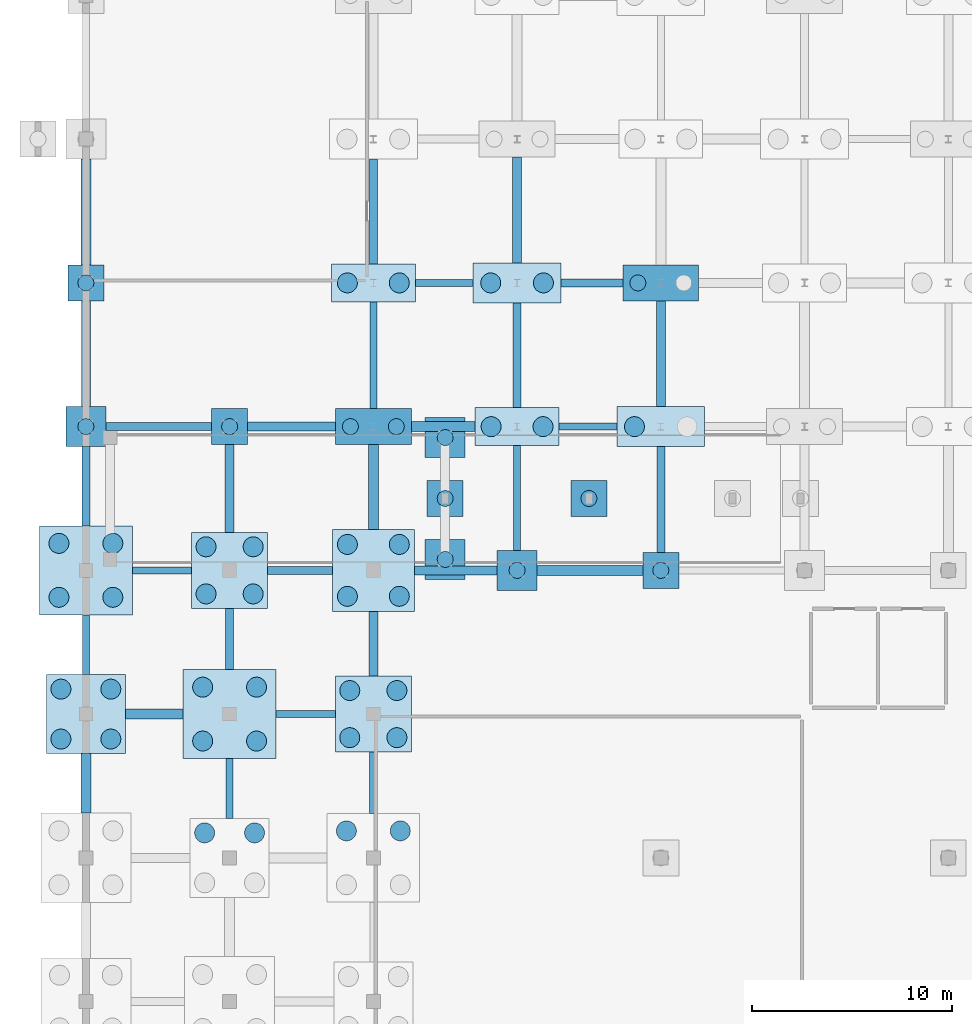
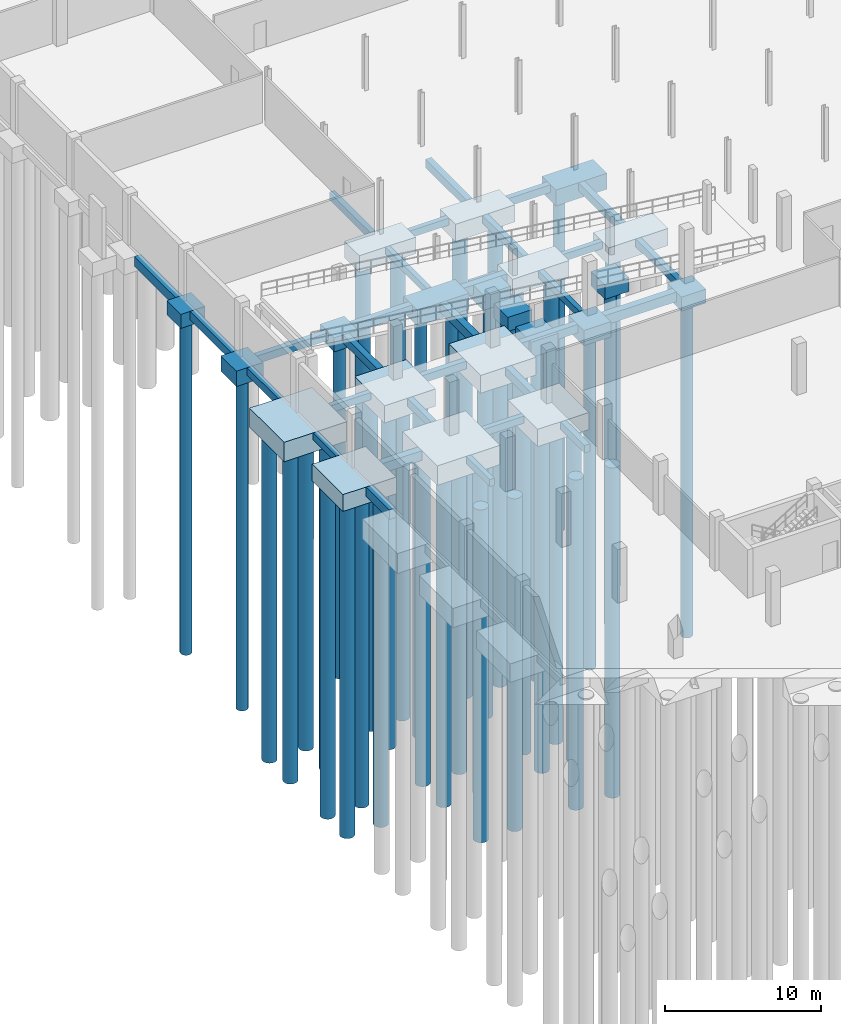
# One storey, part 3 of 56: 51 footings, 47 piles.
"""IFC4 building model written with IfcOpenShell, lengths in metres."""

from ifc_helpers import new_model, si_unit, direction, frame, origin, origin_2d, place, context, subcontext, project, spatial, rectangle, circle, extrude, material, material_profile, profile_set, type_object, element, save


model = new_model("IFC4")

# Units and contexts
model_context = context("Model", 3, precision=1e-05, world=origin(), true_north=direction((0.0, 1.0)))
body_context = subcontext(model_context, "Body", "Model", "MODEL_VIEW")
ifc_project = project(units=[si_unit("LENGTHUNIT", "METRE"), si_unit("AREAUNIT", "SQUARE_METRE"), si_unit("VOLUMEUNIT", "CUBIC_METRE"), si_unit("PLANEANGLEUNIT", "RADIAN"), si_unit("MASSUNIT", "GRAM", prefix="KILO")], contexts=[model_context])

# Site, building, storey
site_placement = place(None, origin())
site = spatial("IfcSite", under=ifc_project, at=site_placement, CompositionType="ELEMENT")
building_placement = place(site_placement, origin())
building = spatial("IfcBuilding", under=site, at=building_placement, Name="Suanplinth Sawtooth Commons", CompositionType="ELEMENT")
storey_placement = place(building_placement, frame((0.0, 0.0, -4.199951171875)))
storey = spatial("IfcBuildingStorey", under=building, at=storey_placement, Name="B1", CompositionType="ELEMENT", Elevation=-4.199951171875)

# Footings
ifc_material_1 = material(Name="Concrete C35/45", Category="concrete")
ifc_material_profile_1 = material_profile(ifc_material_1, rectangle(XDim=0.449951171875, YDim=0.64990234375, at=origin_2d()), Name="PC-GDR 450x650")
ifc_profile_set_1 = profile_set([ifc_material_profile_1], Name="Concrete C35/45")
footing_type_1 = type_object("IfcFootingType", Name="FB-01", PredefinedType="FOOTING_BEAM", material=ifc_profile_set_1)
footing_1_placement = place(storey_placement, frame((0.0, 51.39990234375, -0.824951171875), z_axis=(0.0, 1.0, 0.0), x_axis=(-1.0, 0.0, 0.0)))
element("IfcFooting", 1, at=footing_1_placement, inside=storey, type_object=footing_type_1, Name="Foundation Tie Beam 1/H-J", PredefinedType="FOOTING_BEAM", context=body_context, shape_type="SweptSolid", body=[
    extrude(rectangle(XDim=0.449951171875, YDim=0.64990234375, at=origin_2d()), origin(), (0.0, 0.0, 1.0), 5.300048828125),
])
for number, where, z_axis, x_axis, name in (
    (2, (7.199951171875, 45.10009765625, -0.824951171875), (0.0, 1.0, 0.0), (-1.0, 0.0, 0.0), "Foundation Tie Beam 2/G-H"),
    (3, (8.10009765625, 50.39990234375, -0.824951171875), (1.0, 0.0, 0.0), (0.0, 1.0, 0.0), "Foundation Tie Beam 2-3/H"),
):
    element("IfcFooting", number, at=place(storey_placement, frame(where, z_axis=z_axis, x_axis=x_axis)), inside=storey, type_object=footing_type_1, Name=name, PredefinedType="FOOTING_BEAM", context=body_context, shape_type="SweptSolid", body=[
        extrude(rectangle(XDim=0.449951171875, YDim=0.64990234375, at=origin_2d()), origin(), (0.0, 0.0, 1.0), 4.39990234375),
    ])
footing_2_placement = place(storey_placement, frame((14.39990234375, 37.89990234375, -0.824951171875), z_axis=(0.0, 1.0, 0.0), x_axis=(-1.0, 0.0, 0.0)))
element("IfcFooting", 4, at=footing_2_placement, inside=storey, type_object=footing_type_1, Name="Foundation Tie Beam 3/F-G", PredefinedType="FOOTING_BEAM", context=body_context, shape_type="SweptSolid", body=[
    extrude(rectangle(XDim=0.449951171875, YDim=0.64990234375, at=origin_2d()), origin(), (0.0, 0.0, 1.0), 3.25),
])
footing_3_placement = place(storey_placement, frame((16.449951171875, 43.199951171875, -0.824951171875), z_axis=(1.0, 0.0, 0.0), x_axis=(0.0, 1.0, 0.0)))
element("IfcFooting", 5, at=footing_3_placement, inside=storey, type_object=footing_type_1, Name="Foundation Tie Beam 3-4/G", PredefinedType="FOOTING_BEAM", context=body_context, shape_type="SweptSolid", body=[
    extrude(rectangle(XDim=0.449951171875, YDim=0.64990234375, at=origin_2d()), origin(), (0.0, 0.0, 1.0), 4.150146484375),
])
footing_4_placement = place(storey_placement, frame((21.60009765625, 58.60009765625, -0.824951171875), z_axis=(0.0, 1.0, 0.0), x_axis=(-1.0, 0.0, 0.0)))
element("IfcFooting", 6, at=footing_4_placement, inside=storey, type_object=footing_type_1, Name="Foundation Tie Beam 4/J-K", PredefinedType="FOOTING_BEAM", context=body_context, shape_type="SweptSolid", body=[
    extrude(rectangle(XDim=0.449951171875, YDim=0.64990234375, at=origin_2d()), origin(), (0.0, 0.0, 1.0), 5.2998046875),
])
footing_5_placement = place(storey_placement, frame((28.800048828125, 51.39990234375, -0.824951171875), z_axis=(0.0, 1.0, 0.0), x_axis=(-1.0, 0.0, 0.0)))
element("IfcFooting", 7, at=footing_5_placement, inside=storey, type_object=footing_type_1, Name="Foundation Tie Beam 5/H-J", PredefinedType="FOOTING_BEAM", context=body_context, shape_type="SweptSolid", body=[
    extrude(rectangle(XDim=0.449951171875, YDim=0.64990234375, at=origin_2d()), origin(), (0.0, 0.0, 1.0), 5.300048828125),
])
ifc_material_profile_2 = material_profile(ifc_material_1, rectangle(XDim=0.5, YDim=0.75, at=origin_2d()), Name="RC-GDR 500x750")
ifc_profile_set_2 = profile_set([ifc_material_profile_2], Name="Concrete C35/45")
footing_type_2 = type_object("IfcFootingType", Name="FB-02", PredefinedType="FOOTING_BEAM", material=ifc_profile_set_2)
footing_6_placement = place(storey_placement, frame((0.0, 31.050048828125, -0.875), z_axis=(0.0, 1.0, 0.0), x_axis=(-1.0, 0.0, 0.0)))
element("IfcFooting", 8, at=footing_6_placement, inside=storey, type_object=footing_type_2, Name="Foundation Tie Beam 1/E-F", PredefinedType="FOOTING_BEAM", context=body_context, shape_type="SweptSolid", body=[
    extrude(rectangle(XDim=0.5, YDim=0.75, at=origin_2d()), origin(), (0.0, 0.0, 1.0), 2.974853515625),
])
footing_7_placement = place(storey_placement, frame((1.97509765625, 36.0, -0.875), z_axis=(1.0, 0.0, 0.0), x_axis=(0.0, 1.0, 0.0)))
element("IfcFooting", 9, at=footing_7_placement, inside=storey, type_object=footing_type_2, Name="Foundation Tie Beam 1-2/F", PredefinedType="FOOTING_BEAM", context=body_context, shape_type="SweptSolid", body=[
    extrude(rectangle(XDim=0.5, YDim=0.75, at=origin_2d()), origin(), (0.0, 0.0, 1.0), 2.89990234375),
])
footing_8_placement = place(storey_placement, frame((0.0, 58.5, -0.875), z_axis=(0.0, 1.0, 0.0), x_axis=(-1.0, 0.0, 0.0)))
element("IfcFooting", 10, at=footing_8_placement, inside=storey, type_object=footing_type_2, Name="Foundation Tie Beam 1/J-K", PredefinedType="FOOTING_BEAM", context=body_context, shape_type="SweptSolid", body=[
    extrude(rectangle(XDim=0.5, YDim=0.75, at=origin_2d()), origin(), (0.0, 0.0, 1.0), 5.300048828125),
])
footing_9_placement = place(storey_placement, frame((14.39990234375, 45.25, -0.875), z_axis=(0.0, 1.0, 0.0), x_axis=(-1.0, 0.0, 0.0)))
element("IfcFooting", 11, at=footing_9_placement, inside=storey, type_object=footing_type_2, Name="Foundation Tie Beam 3/G-H", PredefinedType="FOOTING_BEAM", context=body_context, shape_type="SweptSolid", body=[
    extrude(rectangle(XDim=0.5, YDim=0.75, at=origin_2d()), origin(), (0.0, 0.0, 1.0), 4.25),
])
footing_10_placement = place(storey_placement, frame((16.300048828125, 50.39990234375, -0.875), z_axis=(1.0, 0.0, 0.0), x_axis=(0.0, 1.0, 0.0)))
element("IfcFooting", 12, at=footing_10_placement, inside=storey, type_object=footing_type_2, Name="Foundation Tie Beam 3-4/H", PredefinedType="FOOTING_BEAM", context=body_context, shape_type="SweptSolid", body=[
    extrude(rectangle(XDim=0.5, YDim=0.75, at=origin_2d()), origin(), (0.0, 0.0, 1.0), 3.199951171875),
])
footing_11_placement = place(storey_placement, frame((22.60009765625, 43.199951171875, -0.875), z_axis=(1.0, 0.0, 0.0), x_axis=(0.0, 1.0, 0.0)))
element("IfcFooting", 13, at=footing_11_placement, inside=storey, type_object=footing_type_2, Name="Foundation Tie Beam 4-5/G", PredefinedType="FOOTING_BEAM", context=body_context, shape_type="SweptSolid", body=[
    extrude(rectangle(XDim=0.5, YDim=0.75, at=origin_2d()), origin(), (0.0, 0.0, 1.0), 5.2998046875),
])
ifc_material_profile_3 = material_profile(ifc_material_1, rectangle(XDim=0.35009765625, YDim=0.550048828125, at=origin_2d()), Name="PC-BM 350x550")
ifc_profile_set_3 = profile_set([ifc_material_profile_3], Name="Concrete C35/45")
footing_type_3 = type_object("IfcFootingType", Name="FB-03", PredefinedType="FOOTING_BEAM", material=ifc_profile_set_3)
footing_12_placement = place(storey_placement, frame((0.0, 37.97509765625, -0.775146484375), z_axis=(0.0, 1.0, 0.0), x_axis=(-1.0, 0.0, 0.0)))
element("IfcFooting", 14, at=footing_12_placement, inside=storey, type_object=footing_type_3, Name="Foundation Tie Beam 1/F-G", PredefinedType="FOOTING_BEAM", context=body_context, shape_type="SweptSolid", body=[
    extrude(rectangle(XDim=0.35009765625, YDim=0.550048828125, at=origin_2d()), origin(), (0.0, 0.0, 1.0), 3.0),
])
footing_13_placement = place(storey_placement, frame((2.324951171875, 43.199951171875, -0.775146484375), z_axis=(1.0, 0.0, 0.0), x_axis=(0.0, 1.0, 0.0)))
element("IfcFooting", 15, at=footing_13_placement, inside=storey, type_object=footing_type_3, Name="Foundation Tie Beam 1-2/G", PredefinedType="FOOTING_BEAM", context=body_context, shape_type="SweptSolid", body=[
    extrude(rectangle(XDim=0.35009765625, YDim=0.550048828125, at=origin_2d()), origin(), (0.0, 0.0, 1.0), 2.97509765625),
])
footing_14_placement = place(storey_placement, frame((7.199951171875, 30.77490234375, -0.775146484375), z_axis=(0.0, 1.0, 0.0), x_axis=(-1.0, 0.0, 0.0)))
element("IfcFooting", 16, at=footing_14_placement, inside=storey, type_object=footing_type_3, Name="Foundation Tie Beam 2/E-F", PredefinedType="FOOTING_BEAM", context=body_context, shape_type="SweptSolid", body=[
    extrude(rectangle(XDim=0.35009765625, YDim=0.550048828125, at=origin_2d()), origin(), (0.0, 0.0, 1.0), 3.0),
])
footing_15_placement = place(storey_placement, frame((9.52490234375, 36.0, -0.775146484375), z_axis=(1.0, 0.0, 0.0), x_axis=(0.0, 1.0, 0.0)))
element("IfcFooting", 17, at=footing_15_placement, inside=storey, type_object=footing_type_3, Name="Foundation Tie Beam 2-3/F", PredefinedType="FOOTING_BEAM", context=body_context, shape_type="SweptSolid", body=[
    extrude(rectangle(XDim=0.35009765625, YDim=0.550048828125, at=origin_2d()), origin(), (0.0, 0.0, 1.0), 2.97509765625),
])
footing_16_placement = place(storey_placement, frame((14.39990234375, 51.300048828125, -0.775146484375), z_axis=(0.0, 1.0, 0.0), x_axis=(-1.0, 0.0, 0.0)))
element("IfcFooting", 18, at=footing_16_placement, inside=storey, type_object=footing_type_3, Name="Foundation Tie Beam 3/H-J", PredefinedType="FOOTING_BEAM", context=body_context, shape_type="SweptSolid", body=[
    extrude(rectangle(XDim=0.35009765625, YDim=0.550048828125, at=origin_2d()), origin(), (0.0, 0.0, 1.0), 5.349853515625),
])
footing_17_placement = place(storey_placement, frame((16.5, 57.60009765625, -0.775146484375), z_axis=(1.0, 0.0, 0.0), x_axis=(0.0, 1.0, 0.0)))
element("IfcFooting", 19, at=footing_17_placement, inside=storey, type_object=footing_type_3, Name="Foundation Tie Beam 3-4/J", PredefinedType="FOOTING_BEAM", context=body_context, shape_type="SweptSolid", body=[
    extrude(rectangle(XDim=0.35009765625, YDim=0.550048828125, at=origin_2d()), origin(), (0.0, 0.0, 1.0), 2.89990234375),
])
footing_18_placement = place(storey_placement, frame((21.60009765625, 44.199951171875, -0.775146484375), z_axis=(0.0, 1.0, 0.0), x_axis=(-1.0, 0.0, 0.0)))
element("IfcFooting", 20, at=footing_18_placement, inside=storey, type_object=footing_type_3, Name="Foundation Tie Beam 4/G-H", PredefinedType="FOOTING_BEAM", context=body_context, shape_type="SweptSolid", body=[
    extrude(rectangle(XDim=0.35009765625, YDim=0.550048828125, at=origin_2d()), origin(), (0.0, 0.0, 1.0), 5.25),
])
footing_19_placement = place(storey_placement, frame((23.699951171875, 50.39990234375, -0.775146484375), z_axis=(1.0, 0.0, 0.0), x_axis=(0.0, 1.0, 0.0)))
element("IfcFooting", 21, at=footing_19_placement, inside=storey, type_object=footing_type_3, Name="Foundation Tie Beam 4-5/H", PredefinedType="FOOTING_BEAM", context=body_context, shape_type="SweptSolid", body=[
    extrude(rectangle(XDim=0.35009765625, YDim=0.550048828125, at=origin_2d()), origin(), (0.0, 0.0, 1.0), 2.900146484375),
])
ifc_material_profile_4 = material_profile(ifc_material_1, rectangle(XDim=0.39990234375, YDim=0.60009765625, at=origin_2d()), Name="PC-GDR 400x600")
ifc_profile_set_4 = profile_set([ifc_material_profile_4], Name="Concrete C35/45")
footing_type_4 = type_object("IfcFootingType", Name="FB-04", PredefinedType="FOOTING_BEAM", material=ifc_profile_set_4)
footing_20_placement = place(storey_placement, frame((0.0, 45.425048828125, -0.800048828125), z_axis=(0.0, 1.0, 0.0), x_axis=(-1.0, 0.0, 0.0)))
element("IfcFooting", 22, at=footing_20_placement, inside=storey, type_object=footing_type_4, Name="Foundation Tie Beam 1/G-H", PredefinedType="FOOTING_BEAM", context=body_context, shape_type="SweptSolid", body=[
    extrude(rectangle(XDim=0.39990234375, YDim=0.60009765625, at=origin_2d()), origin(), (0.0, 0.0, 1.0), 3.974853515625),
])
footing_21_placement = place(storey_placement, frame((1.0, 50.39990234375, -0.800048828125), z_axis=(1.0, 0.0, 0.0), x_axis=(0.0, 1.0, 0.0)))
element("IfcFooting", 23, at=footing_21_placement, inside=storey, type_object=footing_type_4, Name="Foundation Tie Beam 1-2/H", PredefinedType="FOOTING_BEAM", context=body_context, shape_type="SweptSolid", body=[
    extrude(rectangle(XDim=0.39990234375, YDim=0.60009765625, at=origin_2d()), origin(), (0.0, 0.0, 1.0), 5.300048828125),
])
footing_22_placement = place(storey_placement, frame((7.199951171875, 38.22509765625, -0.800048828125), z_axis=(0.0, 1.0, 0.0), x_axis=(-1.0, 0.0, 0.0)))
element("IfcFooting", 24, at=footing_22_placement, inside=storey, type_object=footing_type_4, Name="Foundation Tie Beam 2/F-G", PredefinedType="FOOTING_BEAM", context=body_context, shape_type="SweptSolid", body=[
    extrude(rectangle(XDim=0.39990234375, YDim=0.60009765625, at=origin_2d()), origin(), (0.0, 0.0, 1.0), 3.074951171875),
])
footing_23_placement = place(storey_placement, frame((9.10009765625, 43.199951171875, -0.800048828125), z_axis=(1.0, 0.0, 0.0), x_axis=(0.0, 1.0, 0.0)))
element("IfcFooting", 25, at=footing_23_placement, inside=storey, type_object=footing_type_4, Name="Foundation Tie Beam 2-3/G", PredefinedType="FOOTING_BEAM", context=body_context, shape_type="SweptSolid", body=[
    extrude(rectangle(XDim=0.39990234375, YDim=0.60009765625, at=origin_2d()), origin(), (0.0, 0.0, 1.0), 3.25),
])
footing_24_placement = place(storey_placement, frame((14.39990234375, 31.02490234375, -0.800048828125), z_axis=(0.0, 1.0, 0.0), x_axis=(-1.0, 0.0, 0.0)))
element("IfcFooting", 26, at=footing_24_placement, inside=storey, type_object=footing_type_4, Name="Foundation Tie Beam 3/E-F", PredefinedType="FOOTING_BEAM", context=body_context, shape_type="SweptSolid", body=[
    extrude(rectangle(XDim=0.39990234375, YDim=0.60009765625, at=origin_2d()), origin(), (0.0, 0.0, 1.0), 3.0751953125),
])
for number, where, z_axis, x_axis, name in (
    (27, (14.39990234375, 58.550048828125, -0.800048828125), (0.0, 1.0, 0.0), (-1.0, 0.0, 0.0), "Foundation Tie Beam 3/J-K"),
    (28, (21.60009765625, 51.35009765625, -0.800048828125), (0.0, 1.0, 0.0), (-1.0, 0.0, 0.0), "Foundation Tie Beam 4/H-J"),
):
    element("IfcFooting", number, at=place(storey_placement, frame(where, z_axis=z_axis, x_axis=x_axis)), inside=storey, type_object=footing_type_4, Name=name, PredefinedType="FOOTING_BEAM", context=body_context, shape_type="SweptSolid", body=[
        extrude(rectangle(XDim=0.39990234375, YDim=0.60009765625, at=origin_2d()), origin(), (0.0, 0.0, 1.0), 5.25),
    ])
footing_25_placement = place(storey_placement, frame((23.800048828125, 57.60009765625, -0.800048828125), z_axis=(1.0, 0.0, 0.0), x_axis=(0.0, 1.0, 0.0)))
element("IfcFooting", 29, at=footing_25_placement, inside=storey, type_object=footing_type_4, Name="Foundation Tie Beam 4-5/J", PredefinedType="FOOTING_BEAM", context=body_context, shape_type="SweptSolid", body=[
    extrude(rectangle(XDim=0.39990234375, YDim=0.60009765625, at=origin_2d()), origin(), (0.0, 0.0, 1.0), 3.099853515625),
])
footing_26_placement = place(storey_placement, frame((28.800048828125, 44.10009765625, -0.800048828125), z_axis=(0.0, 1.0, 0.0), x_axis=(-1.0, 0.0, 0.0)))
element("IfcFooting", 30, at=footing_26_placement, inside=storey, type_object=footing_type_4, Name="Foundation Tie Beam 5/G-H", PredefinedType="FOOTING_BEAM", context=body_context, shape_type="SweptSolid", body=[
    extrude(rectangle(XDim=0.39990234375, YDim=0.60009765625, at=origin_2d()), origin(), (0.0, 0.0, 1.0), 5.2998046875),
])
footing_type_5 = type_object("IfcFootingType", Name="FC-01", PredefinedType="PILE_CAP", material=ifc_material_1)
for number, where, z_axis, x_axis, name in (
    (31, (0.0, 57.60009765625, -1.60009765625), (0.0, 0.0, 1.0), (1.0, 0.0, 0.0), "Pile Cap 1/J"),
    (32, (7.199951171875, 50.39990234375, -1.60009765625), (0.0, 0.0, 1.0), (1.0, 0.0, 0.0), "Pile Cap 2/H"),
    (33, (28.800048828125, 43.199951171875, -1.60009765625), (0.0, 0.0, 1.0), (1.0, 0.0, 0.0), "Pile Cap 5/G"),
    (34, (18.0, 46.800048828125, -1.60009765625), (0.0, 0.0, 1.0), (1.0, 0.0, 0.0), "Veranda Pilaster Cap P1"),
    (35, (25.199951171875, 46.800048828125, -1.60009765625), (0.0, 0.0, 1.0), (1.0, 0.0, 0.0), "Veranda Pilaster Cap P2"),
):
    element("IfcFooting", number, at=place(storey_placement, frame(where, z_axis=z_axis, x_axis=x_axis)), inside=storey, type_object=footing_type_5, Name=name, PredefinedType="PILE_CAP", context=body_context, shape_type="SweptSolid", body=[
        extrude(rectangle(XDim=1.800048828125, YDim=1.800048828125, at=origin_2d()), origin(), (0.0, 0.0, 1.0), 1.10009765625),
    ])
footing_type_6 = type_object("IfcFootingType", Name="FC-02", PredefinedType="PILE_CAP", material=ifc_material_1)
for number, where, z_axis, x_axis, name in (
    (36, (0.0, 50.39990234375, -1.7001953125), (0.0, 0.0, 1.0), (1.0, 0.0, 0.0), "Pile Cap 1/H"),
    (37, (21.60009765625, 43.199951171875, -1.7001953125), (0.0, 0.0, 1.0), (1.0, 0.0, 0.0), "Pile Cap 4/G"),
    (38, (18.0, 43.75, -1.7001953125), (0.0, 0.0, 1.0), (1.0, 0.0, 0.0), "Vehicle Ramp Mid-Span Cap 1"),
    (39, (18.0, 49.85009765625, -1.7001953125), (0.0, 0.0, 1.0), (1.0, 0.0, 0.0), "Vehicle Ramp Mid-Span Cap 2"),
):
    element("IfcFooting", number, at=place(storey_placement, frame(where, z_axis=z_axis, x_axis=x_axis)), inside=storey, type_object=footing_type_6, Name=name, PredefinedType="PILE_CAP", context=body_context, shape_type="SweptSolid", body=[
        extrude(rectangle(XDim=2.0, YDim=2.0, at=origin_2d()), origin(), (0.0, 0.0, 1.0), 1.199951171875),
    ])
footing_type_7 = type_object("IfcFootingType", Name="FC-03", PredefinedType="PILE_CAP", material=ifc_material_1)
for number, where, z_axis, x_axis, name in (
    (40, (14.39990234375, 50.39990234375, -1.75), (0.0, 0.0, 1.0), (1.0, 0.0, 0.0), "Pile Cap 3/H"),
    (41, (28.800048828125, 57.60009765625, -1.75), (0.0, 0.0, 1.0), (1.0, 0.0, 0.0), "Pile Cap 5/J"),
):
    element("IfcFooting", number, at=place(storey_placement, frame(where, z_axis=z_axis, x_axis=x_axis)), inside=storey, type_object=footing_type_7, Name=name, PredefinedType="PILE_CAP", context=body_context, shape_type="SweptSolid", body=[
        extrude(rectangle(XDim=3.800048828125, YDim=1.800048828125, at=origin_2d()), origin(), (0.0, 0.0, 1.0), 1.25),
    ])
footing_type_8 = type_object("IfcFootingType", Name="FC-04", PredefinedType="PILE_CAP", material=ifc_material_1)
for number, where, z_axis, x_axis, name in (
    (42, (14.39990234375, 57.60009765625, -1.80029296875), (0.0, 0.0, 1.0), (1.0, 0.0, 0.0), "Pile Cap 3/J"),
    (43, (21.60009765625, 50.39990234375, -1.80029296875), (0.0, 0.0, 1.0), (1.0, 0.0, 0.0), "Pile Cap 4/H"),
):
    element("IfcFooting", number, at=place(storey_placement, frame(where, z_axis=z_axis, x_axis=x_axis)), inside=storey, type_object=footing_type_8, Name=name, PredefinedType="PILE_CAP", context=body_context, shape_type="SweptSolid", body=[
        extrude(rectangle(XDim=4.199951171875, YDim=1.89990234375, at=origin_2d()), origin(), (0.0, 0.0, 1.0), 1.300048828125),
    ])
footing_type_9 = type_object("IfcFootingType", Name="FC-05", PredefinedType="PILE_CAP", material=ifc_material_1)
for number, where, z_axis, x_axis, name in (
    (44, (21.60009765625, 57.60009765625, -1.85009765625), (0.0, 0.0, 1.0), (1.0, 0.0, 0.0), "Pile Cap 4/J"),
    (45, (28.800048828125, 50.39990234375, -1.85009765625), (0.0, 0.0, 1.0), (1.0, 0.0, 0.0), "Pile Cap 5/H"),
):
    element("IfcFooting", number, at=place(storey_placement, frame(where, z_axis=z_axis, x_axis=x_axis)), inside=storey, type_object=footing_type_9, Name=name, PredefinedType="PILE_CAP", context=body_context, shape_type="SweptSolid", body=[
        extrude(rectangle(XDim=4.39990234375, YDim=2.0, at=origin_2d()), origin(), (0.0, 0.0, 1.0), 1.35009765625),
    ])
footing_type_10 = type_object("IfcFootingType", Name="FC-06", PredefinedType="PILE_CAP", material=ifc_material_1)
for number, where, z_axis, x_axis, name in (
    (46, (7.199951171875, 43.199951171875, -1.85009765625), (0.0, 0.0, 1.0), (1.0, 0.0, 0.0), "Pile Cap 2/G"),
    (47, (14.39990234375, 36.0, -1.85009765625), (0.0, 0.0, 1.0), (1.0, 0.0, 0.0), "Pile Cap 3/F"),
):
    element("IfcFooting", number, at=place(storey_placement, frame(where, z_axis=z_axis, x_axis=x_axis)), inside=storey, type_object=footing_type_10, Name=name, PredefinedType="PILE_CAP", context=body_context, shape_type="SweptSolid", body=[
        extrude(rectangle(XDim=3.800048828125, YDim=3.800048828125, at=origin_2d()), origin(), (0.0, 0.0, 1.0), 1.35009765625),
    ])
footing_type_11 = type_object("IfcFootingType", Name="FC-07", PredefinedType="PILE_CAP", material=ifc_material_1)
footing_27_placement = place(storey_placement, frame((14.39990234375, 43.199951171875, -1.89990234375), z_axis=(0.0, 0.0, 1.0), x_axis=(1.0, 0.0, 0.0)))
element("IfcFooting", 48, at=footing_27_placement, inside=storey, type_object=footing_type_11, Name="Pile Cap 3/G", PredefinedType="PILE_CAP", context=body_context, shape_type="SweptSolid", body=[
    extrude(rectangle(XDim=4.10009765625, YDim=4.10009765625, at=origin_2d()), origin(), (0.0, 0.0, 1.0), 1.39990234375),
])
footing_type_12 = type_object("IfcFootingType", Name="FC-15", PredefinedType="PILE_CAP", material=ifc_material_1)
footing_28_placement = place(storey_placement, frame((0.0, 36.0, -1.8203125), z_axis=(0.0, 0.0, 1.0), x_axis=(1.0, 0.0, 0.0)))
element("IfcFooting", 49, at=footing_28_placement, inside=storey, type_object=footing_type_12, Name="Pile Cap 1/F", PredefinedType="PILE_CAP", context=body_context, shape_type="SweptSolid", body=[
    extrude(rectangle(XDim=3.949951171875, YDim=3.949951171875, at=origin_2d()), origin(), (0.0, 0.0, 1.0), 1.320068359375),
])
footing_type_13 = type_object("IfcFootingType", Name="FC-16", PredefinedType="PILE_CAP", material=ifc_material_1)
for number, where, z_axis, x_axis, name in (
    (50, (0.0, 43.199951171875, -2.02001953125), (0.0, 0.0, 1.0), (1.0, 0.0, 0.0), "Pile Cap 1/G"),
    (51, (7.199951171875, 36.0, -2.02001953125), (0.0, 0.0, 1.0), (1.0, 0.0, 0.0), "Pile Cap 2/F"),
):
    element("IfcFooting", number, at=place(storey_placement, frame(where, z_axis=z_axis, x_axis=x_axis)), inside=storey, type_object=footing_type_13, Name=name, PredefinedType="PILE_CAP", context=body_context, shape_type="SweptSolid", body=[
        extrude(rectangle(XDim=4.64990234375, YDim=4.449951171875, at=origin_2d()), origin(), (0.0, 0.0, 1.0), 1.52001953125),
    ])

# Piles
ifc_material_2 = material(Name="Concrete C32/40", Category="concrete")
ifc_material_profile_5 = material_profile(ifc_material_2, circle(Radius=0.39990234375, at=origin_2d()), Name="PILE D800")
ifc_profile_set_5 = profile_set([ifc_material_profile_5], Name="Concrete C32/40")
pile_type_1 = type_object("IfcPileType", Name="P-01", PredefinedType="BORED", material=ifc_profile_set_5)
pile_1_placement = place(storey_placement, frame((0.0, 50.39990234375, -1.60009765625), z_axis=(0.0, 0.0, -1.0), x_axis=(1.0, 0.0, 0.0)))
element("IfcPile", 52, at=pile_1_placement, inside=storey, type_object=pile_type_1, Name="Bored Pile 1/H-1", PredefinedType="BORED", context=body_context, shape_type="SweptSolid", body=[
    extrude(circle(Radius=0.39990234375, at=origin_2d()), origin(), (0.0, 0.0, 1.0), 26.199951171875),
])
for number, where, z_axis, x_axis, name in (
    (53, (0.0, 57.60009765625, -1.5), (0.0, 0.0, -1.0), (1.0, 0.0, 0.0), "Bored Pile 1/J-1"),
    (54, (7.199951171875, 50.39990234375, -1.5), (0.0, 0.0, -1.0), (1.0, 0.0, 0.0), "Bored Pile 2/H-1"),
):
    element("IfcPile", number, at=place(storey_placement, frame(where, z_axis=z_axis, x_axis=x_axis)), inside=storey, type_object=pile_type_1, Name=name, PredefinedType="BORED", context=body_context, shape_type="SweptSolid", body=[
        extrude(circle(Radius=0.39990234375, at=origin_2d()), origin(), (0.0, 0.0, 1.0), 26.300048828125),
    ])
for number, where, z_axis, x_axis, name in (
    (55, (13.25, 50.39990234375, -1.650146484375), (0.0, 0.0, -1.0), (1.0, 0.0, 0.0), "Bored Pile 3/H-1"),
    (56, (15.550048828125, 50.39990234375, -1.650146484375), (0.0, 0.0, -1.0), (1.0, 0.0, 0.0), "Bored Pile 3/H-2"),
):
    element("IfcPile", number, at=place(storey_placement, frame(where, z_axis=z_axis, x_axis=x_axis)), inside=storey, type_object=pile_type_1, Name=name, PredefinedType="BORED", context=body_context, shape_type="SweptSolid", body=[
        extrude(circle(Radius=0.39990234375, at=origin_2d()), origin(), (0.0, 0.0, 1.0), 26.14990234375),
    ])
pile_2_placement = place(storey_placement, frame((21.60009765625, 43.199951171875, -1.60009765625), z_axis=(0.0, 0.0, -1.0), x_axis=(1.0, 0.0, 0.0)))
element("IfcPile", 57, at=pile_2_placement, inside=storey, type_object=pile_type_1, Name="Bored Pile 4/G-1", PredefinedType="BORED", context=body_context, shape_type="SweptSolid", body=[
    extrude(circle(Radius=0.39990234375, at=origin_2d()), origin(), (0.0, 0.0, 1.0), 26.199951171875),
])
pile_3_placement = place(storey_placement, frame((28.800048828125, 43.199951171875, -1.5), z_axis=(0.0, 0.0, -1.0), x_axis=(1.0, 0.0, 0.0)))
element("IfcPile", 58, at=pile_3_placement, inside=storey, type_object=pile_type_1, Name="Bored Pile 5/G-1", PredefinedType="BORED", context=body_context, shape_type="SweptSolid", body=[
    extrude(circle(Radius=0.39990234375, at=origin_2d()), origin(), (0.0, 0.0, 1.0), 26.300048828125),
])
pile_4_placement = place(storey_placement, frame((27.64990234375, 57.60009765625, -1.650146484375), z_axis=(0.0, 0.0, -1.0), x_axis=(1.0, 0.0, 0.0)))
element("IfcPile", 59, at=pile_4_placement, inside=storey, type_object=pile_type_1, Name="Bored Pile 5/J-1", PredefinedType="BORED", context=body_context, shape_type="SweptSolid", body=[
    extrude(circle(Radius=0.39990234375, at=origin_2d()), origin(), (0.0, 0.0, 1.0), 26.14990234375),
])
for number, where, z_axis, x_axis, name in (
    (60, (18.0, 46.800048828125, -1.5), (0.0, 0.0, -1.0), (1.0, 0.0, 0.0), "Veranda Pilaster Pile P1"),
    (61, (25.199951171875, 46.800048828125, -1.5), (0.0, 0.0, -1.0), (1.0, 0.0, 0.0), "Veranda Pilaster Pile P2"),
):
    element("IfcPile", number, at=place(storey_placement, frame(where, z_axis=z_axis, x_axis=x_axis)), inside=storey, type_object=pile_type_1, Name=name, PredefinedType="BORED", context=body_context, shape_type="SweptSolid", body=[
        extrude(circle(Radius=0.39990234375, at=origin_2d()), origin(), (0.0, 0.0, 1.0), 26.300048828125),
    ])
for number, where, z_axis, x_axis, name in (
    (62, (18.0, 43.75, -1.60009765625), (0.0, 0.0, -1.0), (1.0, 0.0, 0.0), "Vehicle Ramp Mid-Span Pile 1"),
    (63, (18.0, 49.85009765625, -1.60009765625), (0.0, 0.0, -1.0), (1.0, 0.0, 0.0), "Vehicle Ramp Mid-Span Pile 2"),
):
    element("IfcPile", number, at=place(storey_placement, frame(where, z_axis=z_axis, x_axis=x_axis)), inside=storey, type_object=pile_type_1, Name=name, PredefinedType="BORED", context=body_context, shape_type="SweptSolid", body=[
        extrude(circle(Radius=0.39990234375, at=origin_2d()), origin(), (0.0, 0.0, 1.0), 26.199951171875),
    ])
ifc_material_profile_6 = material_profile(ifc_material_2, circle(Radius=0.5, at=origin_2d()), Name="PILE D1000")
ifc_profile_set_6 = profile_set([ifc_material_profile_6], Name="Concrete C32/40")
pile_type_2 = type_object("IfcPileType", Name="P-02", PredefinedType="BORED", material=ifc_profile_set_6)
for number, where, z_axis, x_axis, name in (
    (64, (-1.25, 34.75, -1.719970703125), (0.0, 0.0, -1.0), (1.0, 0.0, 0.0), "Bored Pile 1/F-1"),
    (65, (1.25, 34.75, -1.719970703125), (0.0, 0.0, -1.0), (1.0, 0.0, 0.0), "Bored Pile 1/F-2"),
    (66, (-1.25, 37.25, -1.719970703125), (0.0, 0.0, -1.0), (1.0, 0.0, 0.0), "Bored Pile 1/F-3"),
    (67, (1.25, 37.25, -1.719970703125), (0.0, 0.0, -1.0), (1.0, 0.0, 0.0), "Bored Pile 1/F-4"),
):
    element("IfcPile", number, at=place(storey_placement, frame(where, z_axis=z_axis, x_axis=x_axis)), inside=storey, type_object=pile_type_2, Name=name, PredefinedType="BORED", context=body_context, shape_type="SweptSolid", body=[
        extrude(circle(Radius=0.5, at=origin_2d()), origin(), (0.0, 0.0, 1.0), 26.080078125),
    ])
for number, where, z_axis, x_axis, name in (
    (68, (-1.35009765625, 41.85009765625, -1.920166015625), (0.0, 0.0, -1.0), (1.0, 0.0, 0.0), "Bored Pile 1/G-1"),
    (69, (1.35009765625, 41.85009765625, -1.920166015625), (0.0, 0.0, -1.0), (1.0, 0.0, 0.0), "Bored Pile 1/G-2"),
    (70, (-1.35009765625, 44.550048828125, -1.920166015625), (0.0, 0.0, -1.0), (1.0, 0.0, 0.0), "Bored Pile 1/G-3"),
    (71, (1.35009765625, 44.550048828125, -1.920166015625), (0.0, 0.0, -1.0), (1.0, 0.0, 0.0), "Bored Pile 1/G-4"),
):
    element("IfcPile", number, at=place(storey_placement, frame(where, z_axis=z_axis, x_axis=x_axis)), inside=storey, type_object=pile_type_2, Name=name, PredefinedType="BORED", context=body_context, shape_type="SweptSolid", body=[
        extrude(circle(Radius=0.5, at=origin_2d()), origin(), (0.0, 0.0, 1.0), 25.8798828125),
    ])
for number, where, z_axis, x_axis, name in (
    (72, (5.949951171875, 30.050048828125, -1.719970703125), (0.0, 0.0, -1.0), (1.0, 0.0, 0.0), "Bored Pile 2/E-3"),
    (73, (8.449951171875, 30.050048828125, -1.719970703125), (0.0, 0.0, -1.0), (1.0, 0.0, 0.0), "Bored Pile 2/E-4"),
):
    element("IfcPile", number, at=place(storey_placement, frame(where, z_axis=z_axis, x_axis=x_axis)), inside=storey, type_object=pile_type_2, Name=name, PredefinedType="BORED", context=body_context, shape_type="SweptSolid", body=[
        extrude(circle(Radius=0.5, at=origin_2d()), origin(), (0.0, 0.0, 1.0), 26.080078125),
    ])
for number, where, z_axis, x_axis, name in (
    (74, (5.85009765625, 34.64990234375, -1.920166015625), (0.0, 0.0, -1.0), (1.0, 0.0, 0.0), "Bored Pile 2/F-1"),
    (75, (8.550048828125, 34.64990234375, -1.920166015625), (0.0, 0.0, -1.0), (1.0, 0.0, 0.0), "Bored Pile 2/F-2"),
    (76, (5.85009765625, 37.35009765625, -1.920166015625), (0.0, 0.0, -1.0), (1.0, 0.0, 0.0), "Bored Pile 2/F-3"),
    (77, (8.550048828125, 37.35009765625, -1.920166015625), (0.0, 0.0, -1.0), (1.0, 0.0, 0.0), "Bored Pile 2/F-4"),
):
    element("IfcPile", number, at=place(storey_placement, frame(where, z_axis=z_axis, x_axis=x_axis)), inside=storey, type_object=pile_type_2, Name=name, PredefinedType="BORED", context=body_context, shape_type="SweptSolid", body=[
        extrude(circle(Radius=0.5, at=origin_2d()), origin(), (0.0, 0.0, 1.0), 25.8798828125),
    ])
for number, where, z_axis, x_axis, name in (
    (78, (6.02001953125, 42.02001953125, -1.75), (0.0, 0.0, -1.0), (1.0, 0.0, 0.0), "Bored Pile 2/G-1"),
    (79, (8.3798828125, 42.02001953125, -1.75), (0.0, 0.0, -1.0), (1.0, 0.0, 0.0), "Bored Pile 2/G-2"),
    (80, (6.02001953125, 44.3798828125, -1.75), (0.0, 0.0, -1.0), (1.0, 0.0, 0.0), "Bored Pile 2/G-3"),
    (81, (8.3798828125, 44.3798828125, -1.75), (0.0, 0.0, -1.0), (1.0, 0.0, 0.0), "Bored Pile 2/G-4"),
):
    element("IfcPile", number, at=place(storey_placement, frame(where, z_axis=z_axis, x_axis=x_axis)), inside=storey, type_object=pile_type_2, Name=name, PredefinedType="BORED", context=body_context, shape_type="SweptSolid", body=[
        extrude(circle(Radius=0.5, at=origin_2d()), origin(), (0.0, 0.0, 1.0), 26.050048828125),
    ])
for number, where, z_axis, x_axis, name in (
    (82, (13.050048828125, 30.14990234375, -1.920166015625), (0.0, 0.0, -1.0), (1.0, 0.0, 0.0), "Bored Pile 3/E-3"),
    (83, (15.75, 30.14990234375, -1.920166015625), (0.0, 0.0, -1.0), (1.0, 0.0, 0.0), "Bored Pile 3/E-4"),
):
    element("IfcPile", number, at=place(storey_placement, frame(where, z_axis=z_axis, x_axis=x_axis)), inside=storey, type_object=pile_type_2, Name=name, PredefinedType="BORED", context=body_context, shape_type="SweptSolid", body=[
        extrude(circle(Radius=0.5, at=origin_2d()), origin(), (0.0, 0.0, 1.0), 25.8798828125),
    ])
for number, where, z_axis, x_axis, name in (
    (84, (13.219970703125, 34.820068359375, -1.75), (0.0, 0.0, -1.0), (1.0, 0.0, 0.0), "Bored Pile 3/F-1"),
    (85, (15.580078125, 34.820068359375, -1.75), (0.0, 0.0, -1.0), (1.0, 0.0, 0.0), "Bored Pile 3/F-2"),
    (86, (13.219970703125, 37.179931640625, -1.75), (0.0, 0.0, -1.0), (1.0, 0.0, 0.0), "Bored Pile 3/F-3"),
    (87, (15.580078125, 37.179931640625, -1.75), (0.0, 0.0, -1.0), (1.0, 0.0, 0.0), "Bored Pile 3/F-4"),
):
    element("IfcPile", number, at=place(storey_placement, frame(where, z_axis=z_axis, x_axis=x_axis)), inside=storey, type_object=pile_type_2, Name=name, PredefinedType="BORED", context=body_context, shape_type="SweptSolid", body=[
        extrude(circle(Radius=0.5, at=origin_2d()), origin(), (0.0, 0.0, 1.0), 26.050048828125),
    ])
for number, where, z_axis, x_axis, name in (
    (88, (13.10009765625, 41.89990234375, -1.800048828125), (0.0, 0.0, -1.0), (1.0, 0.0, 0.0), "Bored Pile 3/G-1"),
    (89, (15.699951171875, 41.89990234375, -1.800048828125), (0.0, 0.0, -1.0), (1.0, 0.0, 0.0), "Bored Pile 3/G-2"),
    (90, (13.10009765625, 44.5, -1.800048828125), (0.0, 0.0, -1.0), (1.0, 0.0, 0.0), "Bored Pile 3/G-3"),
    (91, (15.699951171875, 44.5, -1.800048828125), (0.0, 0.0, -1.0), (1.0, 0.0, 0.0), "Bored Pile 3/G-4"),
):
    element("IfcPile", number, at=place(storey_placement, frame(where, z_axis=z_axis, x_axis=x_axis)), inside=storey, type_object=pile_type_2, Name=name, PredefinedType="BORED", context=body_context, shape_type="SweptSolid", body=[
        extrude(circle(Radius=0.5, at=origin_2d()), origin(), (0.0, 0.0, 1.0), 26.0),
    ])
for number, where, z_axis, x_axis, name in (
    (92, (13.10009765625, 57.60009765625, -1.699951171875), (0.0, 0.0, -1.0), (1.0, 0.0, 0.0), "Bored Pile 3/J-1"),
    (93, (15.699951171875, 57.60009765625, -1.699951171875), (0.0, 0.0, -1.0), (1.0, 0.0, 0.0), "Bored Pile 3/J-2"),
    (94, (20.300048828125, 50.39990234375, -1.699951171875), (0.0, 0.0, -1.0), (1.0, 0.0, 0.0), "Bored Pile 4/H-1"),
    (95, (22.89990234375, 50.39990234375, -1.699951171875), (0.0, 0.0, -1.0), (1.0, 0.0, 0.0), "Bored Pile 4/H-2"),
):
    element("IfcPile", number, at=place(storey_placement, frame(where, z_axis=z_axis, x_axis=x_axis)), inside=storey, type_object=pile_type_2, Name=name, PredefinedType="BORED", context=body_context, shape_type="SweptSolid", body=[
        extrude(circle(Radius=0.5, at=origin_2d()), origin(), (0.0, 0.0, 1.0), 26.10009765625),
    ])
for number, where, z_axis, x_axis, name in (
    (96, (20.280029296875, 57.60009765625, -1.75), (0.0, 0.0, -1.0), (1.0, 0.0, 0.0), "Bored Pile 4/J-1"),
    (97, (22.919921875, 57.60009765625, -1.75), (0.0, 0.0, -1.0), (1.0, 0.0, 0.0), "Bored Pile 4/J-2"),
    (98, (27.47998046875, 50.39990234375, -1.75), (0.0, 0.0, -1.0), (1.0, 0.0, 0.0), "Bored Pile 5/H-1"),
):
    element("IfcPile", number, at=place(storey_placement, frame(where, z_axis=z_axis, x_axis=x_axis)), inside=storey, type_object=pile_type_2, Name=name, PredefinedType="BORED", context=body_context, shape_type="SweptSolid", body=[
        extrude(circle(Radius=0.5, at=origin_2d()), origin(), (0.0, 0.0, 1.0), 26.050048828125),
    ])

save(model, "model.ifc")
